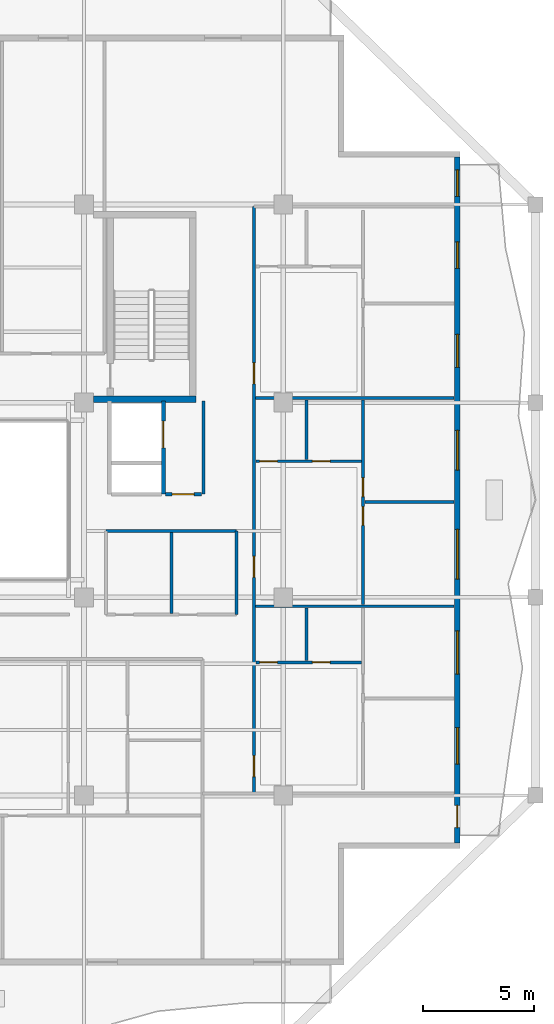
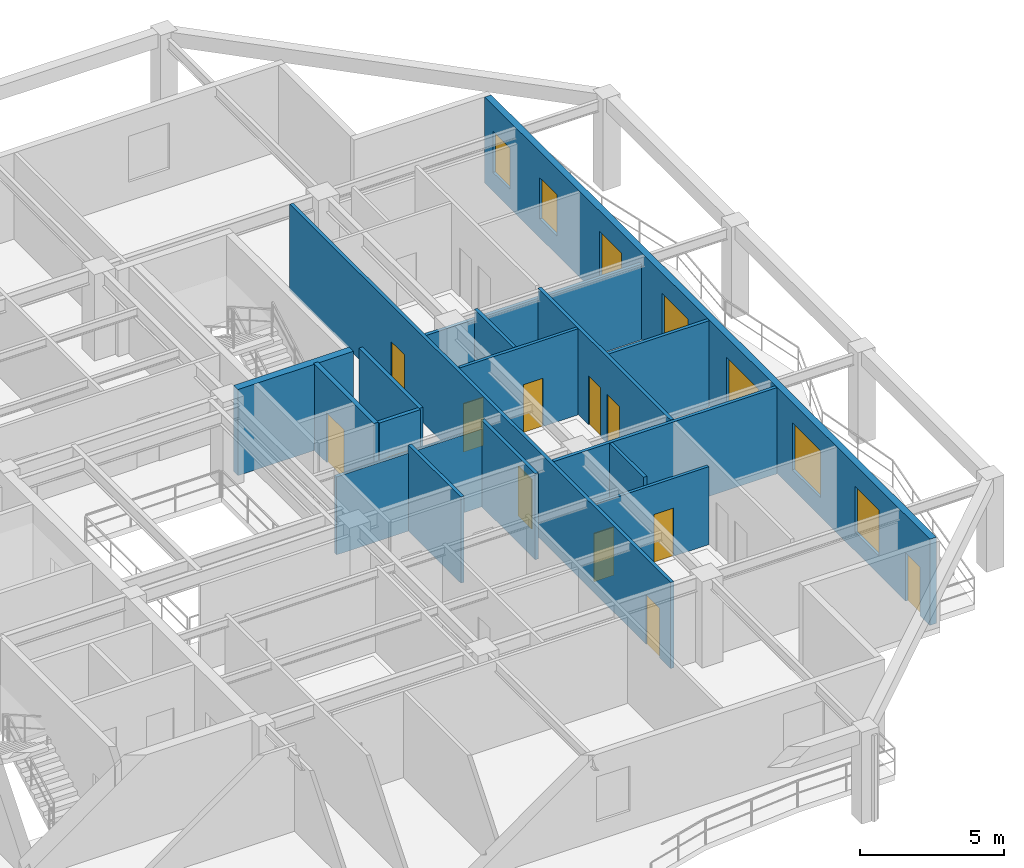
# One storey, part 5 of 12: 17 walls, 12 doors, 7 windows, 19 openings.
"""IFC4 building model written with IfcOpenShell, lengths in metres."""

from ifc_helpers import new_model, si_unit, direction, frame, frame_2d, origin, place, context, subcontext, project, spatial, rectangle, extrude, material, layer, layer_set, type_object, element, fill, save


model = new_model("IFC4")

# Units and contexts
model_context = context("Model", 3, precision=1e-05, world=origin(), true_north=direction((0.0, 1.0)))
body_context = subcontext(model_context, "Body", "Model", "MODEL_VIEW")
ifc_project = project(units=[si_unit("LENGTHUNIT", "METRE"), si_unit("AREAUNIT", "SQUARE_METRE"), si_unit("VOLUMEUNIT", "CUBIC_METRE"), si_unit("PLANEANGLEUNIT", "RADIAN"), si_unit("MASSUNIT", "GRAM", prefix="KILO")], contexts=[model_context])

# Site, building, storey
site_placement = place(None, origin())
site = spatial("IfcSite", under=ifc_project, at=site_placement, CompositionType="ELEMENT")
building_placement = place(site_placement, origin())
building = spatial("IfcBuilding", under=site, at=building_placement, Name="Kundavana Baori Tower", CompositionType="ELEMENT")
storey_placement = place(building_placement, frame((0.0, 0.0, 233.60009765625)))
storey = spatial("IfcBuildingStorey", under=building, at=storey_placement, Name="L57", CompositionType="ELEMENT", Elevation=233.60009765625)

# Wall, openings, door, windows
ifc_material_1 = material(Name="Kiln-Fired Terracotta Brick-Slip Masonry on Concrete C40/50", Category="masonry")
ifc_layer_1 = layer(ifc_material_1, 0.260009765625, Name="WL-EXT-BRK-260")
ifc_layer_set_1 = layer_set([ifc_layer_1], Name="Kiln-Fired Terracotta Brick-Slip Masonry on Concrete C40/50")
wall_type_1 = type_object("IfcWallType", Name="WL-EXT-BRK-260", PredefinedType="SOLIDWALL", material=ifc_layer_set_1)
wall_1_placement = place(storey_placement, frame((50.669921875, 13.110107421875, 0.0), z_axis=(0.0, 0.0, 1.0), x_axis=(0.0, 1.0, 0.0)))
wall_1 = element("IfcWall", 1, at=wall_1_placement, inside=storey, type_object=wall_type_1, Name="L57 Exterior Insulated Facade Wall 04", PredefinedType="SOLIDWALL", context=body_context, shape_type="SweptSolid", body=[
    extrude(rectangle(XDim=30.97998046875, YDim=0.260009765625, at=frame_2d((15.489990234375, 0.0))), origin(), (0.0, 0.0, 1.0), 3.659912109375),
])
opening_1_placement = place(wall_1_placement, frame((0.68994140625, 0.0, 0.0)))
opening_1 = element("IfcOpeningElement", 2, at=opening_1_placement, cuts=wall_1, Name="Opening BD-1", PredefinedType="OPENING", context=body_context, shape_type="SweptSolid", body=[
    extrude(rectangle(XDim=1.0, YDim=2.050048828125, at=frame_2d((0.5, 1.02490234375))), frame((0.0, 0.14013671875, 0.0), z_axis=(0.0, -1.0, 0.0), x_axis=(1.0, 0.0, 0.0)), (0.0, 0.0, 1.0), 0.280029296875),
])
opening_2_placement = place(wall_1_placement, frame((3.552978515625, 0.0, 0.800048828125)))
opening_2 = element("IfcOpeningElement", 3, at=opening_2_placement, cuts=wall_1, Name="Opening W-08", PredefinedType="OPENING", context=body_context, shape_type="SweptSolid", body=[
    extrude(rectangle(XDim=1.64990234375, YDim=1.949951171875, at=frame_2d((0.824951171875, 0.97509765625))), frame((0.0, 0.14013671875, 0.0), z_axis=(0.0, -1.0, 0.0), x_axis=(1.0, 0.0, 0.0)), (0.0, 0.0, 1.0), 0.280029296875),
])
opening_3_placement = place(wall_1_placement, frame((7.626953125, 0.0, 0.800048828125)))
opening_3 = element("IfcOpeningElement", 4, at=opening_3_placement, cuts=wall_1, Name="Opening W-09", PredefinedType="OPENING", context=body_context, shape_type="SweptSolid", body=[
    extrude(rectangle(XDim=1.949951171875, YDim=2.0, at=frame_2d((0.97509765625, 1.0))), frame((0.0, 0.14013671875, 0.0), z_axis=(0.0, -1.0, 0.0), x_axis=(1.0, 0.0, 0.0)), (0.0, 0.0, 1.0), 0.280029296875),
])
opening_4_placement = place(wall_1_placement, frame((11.9150390625, 0.0, 0.800048828125)))
opening_4 = element("IfcOpeningElement", 5, at=opening_4_placement, cuts=wall_1, Name="Opening W-10", PredefinedType="OPENING", context=body_context, shape_type="SweptSolid", body=[
    extrude(rectangle(XDim=2.25, YDim=2.0, at=frame_2d((1.125, 1.0))), frame((0.0, 0.14013671875, 0.0), z_axis=(0.0, -1.0, 0.0), x_axis=(1.0, 0.0, 0.0)), (0.0, 0.0, 1.0), 0.280029296875),
])
opening_5_placement = place(wall_1_placement, frame((16.840087890625, 0.0, 0.800048828125)))
opening_5 = element("IfcOpeningElement", 6, at=opening_5_placement, cuts=wall_1, Name="Opening W-01", PredefinedType="OPENING", context=body_context, shape_type="SweptSolid", body=[
    extrude(rectangle(XDim=1.800048828125, YDim=2.0, at=frame_2d((0.89990234375, 1.0))), frame((0.0, 0.14013671875, 0.0), z_axis=(0.0, -1.0, 0.0), x_axis=(1.0, 0.0, 0.0)), (0.0, 0.0, 1.0), 0.280029296875),
])
opening_6_placement = place(wall_1_placement, frame((21.47705078125, 0.0, 0.800048828125)))
opening_6 = element("IfcOpeningElement", 7, at=opening_6_placement, cuts=wall_1, Name="Opening W-02", PredefinedType="OPENING", context=body_context, shape_type="SweptSolid", body=[
    extrude(rectangle(XDim=1.5, YDim=2.0, at=frame_2d((0.75, 1.0))), frame((0.0, 0.14013671875, 0.0), z_axis=(0.0, -1.0, 0.0), x_axis=(1.0, 0.0, 0.0)), (0.0, 0.0, 1.0), 0.280029296875),
])
opening_7_placement = place(wall_1_placement, frame((25.951904296875, 0.0, 0.800048828125)))
opening_7 = element("IfcOpeningElement", 8, at=opening_7_placement, cuts=wall_1, Name="Opening W-03", PredefinedType="OPENING", context=body_context, shape_type="SweptSolid", body=[
    extrude(rectangle(XDim=1.199951171875, YDim=1.75, at=frame_2d((0.60009765625, 0.875))), frame((0.0, 0.14013671875, 0.0), z_axis=(0.0, -1.0, 0.0), x_axis=(1.0, 0.0, 0.0)), (0.0, 0.0, 1.0), 0.280029296875),
])
opening_8_placement = place(wall_1_placement, frame((29.205078125, 0.0, 0.800048828125)))
opening_8 = element("IfcOpeningElement", 9, at=opening_8_placement, cuts=wall_1, Name="Opening W-03", PredefinedType="OPENING", context=body_context, shape_type="SweptSolid", body=[
    extrude(rectangle(XDim=1.199951171875, YDim=1.75, at=frame_2d((0.60009765625, 0.875))), frame((0.0, 0.14013671875, 0.0), z_axis=(0.0, -1.0, 0.0), x_axis=(1.0, 0.0, 0.0)), (0.0, 0.0, 1.0), 0.280029296875),
])
ifc_material_2 = material(Name="Architectural Patinated Bronze Metalwork")
door_type_1 = type_object("IfcDoorType", Name="DR-EXT-LOG-1000", OperationType="NOTDEFINED", PredefinedType="DOOR", material=ifc_material_2)
door_1_placement = place(opening_1_placement, frame((1.0, 0.0, 0.0), z_axis=(0.0, 0.0, 1.0), x_axis=(-1.0, 0.0, 0.0)))
door_1 = element("IfcDoor", 10, at=door_1_placement, inside=storey, type_object=door_type_1, Name="L57 Loggia Balcony Access Door E", OperationType="SINGLE_SWING_RIGHT", OverallHeight=2.050048828125, OverallWidth=1.0, PredefinedType="DOOR", context=body_context, shape_type="SweptSolid", body=[
    extrude(rectangle(XDim=1.0, YDim=2.050048828125, at=frame_2d((0.5, 1.02490234375))), frame((0.0, 0.02490234375, 0.0), z_axis=(0.0, -1.0, 0.0), x_axis=(1.0, 0.0, 0.0)), (0.0, 0.0, 1.0), 0.050048828125),
])
fill(opening_1, door_1)
ifc_material_3 = material(Name="Double-Glazed Solar-Control Low-E Insulated Glass", Category="glass")
window_type_1 = type_object("IfcWindowType", Name="WIN-LOG-1200x1750", PartitioningType="SINGLE_PANEL", PredefinedType="WINDOW", material=ifc_material_3)
window_1_placement = place(opening_7_placement, origin())
window_1 = element("IfcWindow", 11, at=window_1_placement, inside=storey, type_object=window_type_1, Name="L57 Recessed Loggia Window E-7", OverallHeight=1.75, OverallWidth=1.199951171875, PartitioningType="SINGLE_PANEL", PredefinedType="WINDOW", context=body_context, shape_type="SweptSolid", body=[
    extrude(rectangle(XDim=1.199951171875, YDim=1.75, at=frame_2d((0.60009765625, 0.875))), frame((0.0, 0.030029296875, 0.0), z_axis=(0.0, -1.0, 0.0), x_axis=(1.0, 0.0, 0.0)), (0.0, 0.0, 1.0), 0.06005859375),
])
fill(opening_7, window_1)
window_2_placement = place(opening_8_placement, origin())
window_2 = element("IfcWindow", 12, at=window_2_placement, inside=storey, type_object=window_type_1, Name="L57 Recessed Loggia Window E-8", OverallHeight=1.75, OverallWidth=1.199951171875, PartitioningType="SINGLE_PANEL", PredefinedType="WINDOW", context=body_context, shape_type="SweptSolid", body=[
    extrude(rectangle(XDim=1.199951171875, YDim=1.75, at=frame_2d((0.60009765625, 0.875))), frame((0.0, 0.030029296875, 0.0), z_axis=(0.0, -1.0, 0.0), x_axis=(1.0, 0.0, 0.0)), (0.0, 0.0, 1.0), 0.06005859375),
])
fill(opening_8, window_2)
ifc_material_4 = material(Name="Double-Glazed Solar-Control Low-E Insulated Glass", Category="glass")
window_type_2 = type_object("IfcWindowType", Name="WIN-LOG-1500x2000", PartitioningType="SINGLE_PANEL", PredefinedType="WINDOW", material=ifc_material_4)
window_3_placement = place(opening_6_placement, origin())
window_3 = element("IfcWindow", 13, at=window_3_placement, inside=storey, type_object=window_type_2, Name="L57 Recessed Loggia Window E-6", OverallHeight=2.0, OverallWidth=1.5, PartitioningType="SINGLE_PANEL", PredefinedType="WINDOW", context=body_context, shape_type="SweptSolid", body=[
    extrude(rectangle(XDim=1.5, YDim=2.0, at=frame_2d((0.75, 1.0))), frame((0.0, 0.030029296875, 0.0), z_axis=(0.0, -1.0, 0.0), x_axis=(1.0, 0.0, 0.0)), (0.0, 0.0, 1.0), 0.06005859375),
])
fill(opening_6, window_3)
ifc_material_5 = material(Name="Double-Glazed Solar-Control Low-E Insulated Glass", Category="glass")
window_type_3 = type_object("IfcWindowType", Name="WIN-LOG-1650x1950", PartitioningType="SINGLE_PANEL", PredefinedType="WINDOW", material=ifc_material_5)
window_4_placement = place(opening_2_placement, origin())
window_4 = element("IfcWindow", 14, at=window_4_placement, inside=storey, type_object=window_type_3, Name="L57 Recessed Loggia Window E-2", OverallHeight=1.949951171875, OverallWidth=1.64990234375, PartitioningType="SINGLE_PANEL", PredefinedType="WINDOW", context=body_context, shape_type="SweptSolid", body=[
    extrude(rectangle(XDim=1.64990234375, YDim=1.949951171875, at=frame_2d((0.824951171875, 0.97509765625))), frame((0.0, 0.030029296875, 0.0), z_axis=(0.0, -1.0, 0.0), x_axis=(1.0, 0.0, 0.0)), (0.0, 0.0, 1.0), 0.06005859375),
])
fill(opening_2, window_4)
ifc_material_6 = material(Name="Double-Glazed Solar-Control Low-E Insulated Glass", Category="glass")
window_type_4 = type_object("IfcWindowType", Name="WIN-LOG-1800x2000", PartitioningType="SINGLE_PANEL", PredefinedType="WINDOW", material=ifc_material_6)
window_5_placement = place(opening_5_placement, origin())
window_5 = element("IfcWindow", 15, at=window_5_placement, inside=storey, type_object=window_type_4, Name="L57 Recessed Loggia Window E-5", OverallHeight=2.0, OverallWidth=1.800048828125, PartitioningType="SINGLE_PANEL", PredefinedType="WINDOW", context=body_context, shape_type="SweptSolid", body=[
    extrude(rectangle(XDim=1.800048828125, YDim=2.0, at=frame_2d((0.89990234375, 1.0))), frame((0.0, 0.030029296875, 0.0), z_axis=(0.0, -1.0, 0.0), x_axis=(1.0, 0.0, 0.0)), (0.0, 0.0, 1.0), 0.06005859375),
])
fill(opening_5, window_5)
ifc_material_7 = material(Name="Double-Glazed Solar-Control Low-E Insulated Glass", Category="glass")
window_type_5 = type_object("IfcWindowType", Name="WIN-LOG-1950x2000", PartitioningType="SINGLE_PANEL", PredefinedType="WINDOW", material=ifc_material_7)
window_6_placement = place(opening_3_placement, origin())
window_6 = element("IfcWindow", 16, at=window_6_placement, inside=storey, type_object=window_type_5, Name="L57 Recessed Loggia Window E-3", OverallHeight=2.0, OverallWidth=1.949951171875, PartitioningType="SINGLE_PANEL", PredefinedType="WINDOW", context=body_context, shape_type="SweptSolid", body=[
    extrude(rectangle(XDim=1.949951171875, YDim=2.0, at=frame_2d((0.97509765625, 1.0))), frame((0.0, 0.030029296875, 0.0), z_axis=(0.0, -1.0, 0.0), x_axis=(1.0, 0.0, 0.0)), (0.0, 0.0, 1.0), 0.06005859375),
])
fill(opening_3, window_6)
ifc_material_8 = material(Name="Double-Glazed Solar-Control Low-E Insulated Glass", Category="glass")
window_type_6 = type_object("IfcWindowType", Name="WIN-LOG-2250x2000", PartitioningType="SINGLE_PANEL", PredefinedType="WINDOW", material=ifc_material_8)
window_7_placement = place(opening_4_placement, origin())
window_7 = element("IfcWindow", 17, at=window_7_placement, inside=storey, type_object=window_type_6, Name="L57 Recessed Loggia Window E-4", OverallHeight=2.0, OverallWidth=2.25, PartitioningType="SINGLE_PANEL", PredefinedType="WINDOW", context=body_context, shape_type="SweptSolid", body=[
    extrude(rectangle(XDim=2.25, YDim=2.0, at=frame_2d((1.125, 1.0))), frame((0.0, 0.030029296875, 0.0), z_axis=(0.0, -1.0, 0.0), x_axis=(1.0, 0.0, 0.0)), (0.0, 0.0, 1.0), 0.06005859375),
])
fill(opening_4, window_7)

# Wall, openings, doors
ifc_material_9 = material(Name="Acoustic Gypsum Plasterboard on Galvanised Steel Studs", Category="steel")
ifc_layer_2 = layer(ifc_material_9, 0.135009765625, Name="WL-PART-135")
ifc_layer_set_2 = layer_set([ifc_layer_2], Name="Acoustic Gypsum Plasterboard on Galvanised Steel Studs")
wall_type_2 = type_object("IfcWallType", Name="WL-PART-135", PredefinedType="PARTITIONING", material=ifc_layer_set_2)
wall_2_placement = place(storey_placement, frame((41.47998046875, 15.35009765625, 0.0), z_axis=(0.0, 0.0, 1.0), x_axis=(0.0, 1.0, 0.0)))
wall_2 = element("IfcWall", 18, at=wall_2_placement, inside=storey, type_object=wall_type_2, Name="WL-L57-RE", PredefinedType="PARTITIONING", context=body_context, shape_type="SweptSolid", body=[
    extrude(rectangle(XDim=26.5, YDim=0.135009765625, at=frame_2d((13.25, 0.0))), origin(), (0.0, 0.0, 1.0), 3.659912109375),
])
opening_9_placement = place(wall_2_placement, frame((0.75, 0.0, 0.0)))
opening_9 = element("IfcOpeningElement", 19, at=opening_9_placement, cuts=wall_2, Name="Opening FD-095", PredefinedType="OPENING", context=body_context, shape_type="SweptSolid", body=[
    extrude(rectangle(XDim=0.949951171875, YDim=2.10009765625, at=frame_2d((0.47509765625, 1.050048828125))), frame((0.0, 0.07763671875, 0.0), z_axis=(0.0, -1.0, 0.0), x_axis=(1.0, 0.0, 0.0)), (0.0, 0.0, 1.0), 0.155029296875),
])
opening_10_placement = place(wall_2_placement, frame((9.75, 0.0, 0.0)))
opening_10 = element("IfcOpeningElement", 20, at=opening_10_placement, cuts=wall_2, Name="Opening FD-095", PredefinedType="OPENING", context=body_context, shape_type="SweptSolid", body=[
    extrude(rectangle(XDim=0.949951171875, YDim=2.10009765625, at=frame_2d((0.47509765625, 1.050048828125))), frame((0.0, 0.07763671875, 0.0), z_axis=(0.0, -1.0, 0.0), x_axis=(1.0, 0.0, 0.0)), (0.0, 0.0, 1.0), 0.155029296875),
])
opening_11_placement = place(wall_2_placement, frame((18.5, 0.0, 0.0)))
opening_11 = element("IfcOpeningElement", 21, at=opening_11_placement, cuts=wall_2, Name="Opening FD-095", PredefinedType="OPENING", context=body_context, shape_type="SweptSolid", body=[
    extrude(rectangle(XDim=0.949951171875, YDim=2.10009765625, at=frame_2d((0.47509765625, 1.050048828125))), frame((0.0, 0.07763671875, 0.0), z_axis=(0.0, -1.0, 0.0), x_axis=(1.0, 0.0, 0.0)), (0.0, 0.0, 1.0), 0.155029296875),
])
ifc_material_10 = material(Name="Engineered Teak Fire-Rated Timber Door Leaf", Category="wood")
door_type_2 = type_object("IfcDoorType", Name="DR-FD60-950", OperationType="NOTDEFINED", PredefinedType="DOOR", material=ifc_material_10)
door_2_placement = place(opening_9_placement, origin())
door_2 = element("IfcDoor", 22, at=door_2_placement, inside=storey, type_object=door_type_2, Name="DR-L57-E1-ENT", OperationType="SINGLE_SWING_LEFT", OverallHeight=2.10009765625, OverallWidth=0.949951171875, PredefinedType="DOOR", context=body_context, shape_type="SweptSolid", body=[
    extrude(rectangle(XDim=0.949951171875, YDim=2.10009765625, at=frame_2d((0.47509765625, 1.050048828125))), frame((0.0, 0.02490234375, 0.0), z_axis=(0.0, -1.0, 0.0), x_axis=(1.0, 0.0, 0.0)), (0.0, 0.0, 1.0), 0.050048828125),
])
fill(opening_9, door_2)
door_3_placement = place(opening_10_placement, origin())
door_3 = element("IfcDoor", 23, at=door_3_placement, inside=storey, type_object=door_type_2, Name="DR-L57-E2-ENT", OperationType="SINGLE_SWING_LEFT", OverallHeight=2.10009765625, OverallWidth=0.949951171875, PredefinedType="DOOR", context=body_context, shape_type="SweptSolid", body=[
    extrude(rectangle(XDim=0.949951171875, YDim=2.10009765625, at=frame_2d((0.47509765625, 1.050048828125))), frame((0.0, 0.02490234375, 0.0), z_axis=(0.0, -1.0, 0.0), x_axis=(1.0, 0.0, 0.0)), (0.0, 0.0, 1.0), 0.050048828125),
])
fill(opening_10, door_3)
door_4_placement = place(opening_11_placement, origin())
door_4 = element("IfcDoor", 24, at=door_4_placement, inside=storey, type_object=door_type_2, Name="DR-L57-E3-ENT", OperationType="SINGLE_SWING_LEFT", OverallHeight=2.10009765625, OverallWidth=0.949951171875, PredefinedType="DOOR", context=body_context, shape_type="SweptSolid", body=[
    extrude(rectangle(XDim=0.949951171875, YDim=2.10009765625, at=frame_2d((0.47509765625, 1.050048828125))), frame((0.0, 0.02490234375, 0.0), z_axis=(0.0, -1.0, 0.0), x_axis=(1.0, 0.0, 0.0)), (0.0, 0.0, 1.0), 0.050048828125),
])
fill(opening_11, door_4)

# Wall
wall_3_placement = place(storey_placement, frame((41.56005859375, 23.800048828125, 0.0), z_axis=(0.0, 0.0, 1.0), x_axis=(1.0, 0.0, 0.0)))
element("IfcWall", 25, at=wall_3_placement, inside=storey, type_object=wall_type_2, Name="WL-L57-RED1", PredefinedType="PARTITIONING", context=body_context, shape_type="SweptSolid", body=[
    extrude(rectangle(XDim=8.9599609375, YDim=0.135009765625, at=frame_2d((4.47998046875, 0.0))), origin(), (0.0, 0.0, 1.0), 3.659912109375),
])

# Wall, openings, doors
wall_4_placement = place(storey_placement, frame((46.407958984375, 23.8798828125, 0.0), z_axis=(0.0, 0.0, 1.0), x_axis=(0.0, 1.0, 0.0)))
wall_4 = element("IfcWall", 26, at=wall_4_placement, inside=storey, type_object=wall_type_2, Name="WL-L57-E2-VT", PredefinedType="PARTITIONING", context=body_context, shape_type="SweptSolid", body=[
    extrude(rectangle(XDim=9.240234375, YDim=0.135009765625, at=frame_2d((4.6201171875, 0.0))), origin(), (0.0, 0.0, 1.0), 3.659912109375),
])
opening_12_placement = place(wall_4_placement, frame((3.570068359375, 0.0, 0.0)))
opening_12 = element("IfcOpeningElement", 27, at=opening_12_placement, cuts=wall_4, Name="Opening ID-085", PredefinedType="OPENING", context=body_context, shape_type="SweptSolid", body=[
    extrude(rectangle(XDim=0.85009765625, YDim=2.080078125, at=frame_2d((0.425048828125, 1.0400390625))), frame((0.0, 0.07763671875, 0.0), z_axis=(0.0, -1.0, 0.0), x_axis=(1.0, 0.0, 0.0)), (0.0, 0.0, 1.0), 0.155029296875),
])
opening_13_placement = place(wall_4_placement, frame((4.8701171875, 0.0, 0.0)))
opening_13 = element("IfcOpeningElement", 28, at=opening_13_placement, cuts=wall_4, Name="Opening ID-085", PredefinedType="OPENING", context=body_context, shape_type="SweptSolid", body=[
    extrude(rectangle(XDim=0.85009765625, YDim=2.080078125, at=frame_2d((0.425048828125, 1.0400390625))), frame((0.0, 0.07763671875, 0.0), z_axis=(0.0, -1.0, 0.0), x_axis=(1.0, 0.0, 0.0)), (0.0, 0.0, 1.0), 0.155029296875),
])
ifc_material_11 = material(Name="Engineered Teak Solid-Core Timber Veneer", Category="wood")
door_type_3 = type_object("IfcDoorType", Name="DR-INT-850", OperationType="NOTDEFINED", PredefinedType="DOOR", material=ifc_material_11)
door_5_placement = place(opening_12_placement, origin())
door_5 = element("IfcDoor", 29, at=door_5_placement, inside=storey, type_object=door_type_3, Name="DR-L57-E2-B1", OperationType="SINGLE_SWING_LEFT", OverallHeight=2.080078125, OverallWidth=0.85009765625, PredefinedType="DOOR", context=body_context, shape_type="SweptSolid", body=[
    extrude(rectangle(XDim=0.85009765625, YDim=2.080078125, at=frame_2d((0.425048828125, 1.0400390625))), frame((0.0, 0.02490234375, 0.0), z_axis=(0.0, -1.0, 0.0), x_axis=(1.0, 0.0, 0.0)), (0.0, 0.0, 1.0), 0.050048828125),
])
fill(opening_12, door_5)
door_6_placement = place(opening_13_placement, origin())
door_6 = element("IfcDoor", 30, at=door_6_placement, inside=storey, type_object=door_type_3, Name="DR-L57-E2-B2", OperationType="SINGLE_SWING_RIGHT", OverallHeight=2.080078125, OverallWidth=0.85009765625, PredefinedType="DOOR", context=body_context, shape_type="SweptSolid", body=[
    extrude(rectangle(XDim=0.85009765625, YDim=2.080078125, at=frame_2d((0.425048828125, 1.0400390625))), frame((0.0, 0.02490234375, 0.0), z_axis=(0.0, -1.0, 0.0), x_axis=(1.0, 0.0, 0.0)), (0.0, 0.0, 1.0), 0.050048828125),
])
fill(opening_13, door_6)

# Walls
wall_5_placement = place(storey_placement, frame((46.488037109375, 28.5, 0.0), z_axis=(0.0, 0.0, 1.0), x_axis=(1.0, 0.0, 0.0)))
element("IfcWall", 31, at=wall_5_placement, inside=storey, type_object=wall_type_2, Name="WL-L57-E2-BDH", PredefinedType="PARTITIONING", context=body_context, shape_type="SweptSolid", body=[
    extrude(rectangle(XDim=4.031982421875, YDim=0.135009765625, at=frame_2d((2.01611328125, 0.0))), origin(), (0.0, 0.0, 1.0), 3.659912109375),
])
wall_6_placement = place(storey_placement, frame((41.56005859375, 33.199951171875, 0.0), z_axis=(0.0, 0.0, 1.0), x_axis=(1.0, 0.0, 0.0)))
element("IfcWall", 32, at=wall_6_placement, inside=storey, type_object=wall_type_2, Name="WL-L57-RED2", PredefinedType="PARTITIONING", context=body_context, shape_type="SweptSolid", body=[
    extrude(rectangle(XDim=8.9599609375, YDim=0.135009765625, at=frame_2d((4.47998046875, 0.0))), origin(), (0.0, 0.0, 1.0), 3.2099609375),
])
wall_7_placement = place(storey_placement, frame((34.800048828125, 27.199951171875, 0.0), z_axis=(0.0, 0.0, 1.0), x_axis=(1.0, 0.0, 0.0)))
element("IfcWall", 33, at=wall_7_placement, inside=storey, type_object=wall_type_2, Name="WL-L57-ALN", PredefinedType="PARTITIONING", context=body_context, shape_type="SweptSolid", body=[
    extrude(rectangle(XDim=5.89990234375, YDim=0.135009765625, at=frame_2d((2.949951171875, 0.0))), origin(), (0.0, 0.0, 1.0), 3.309814453125),
])
wall_8_placement = place(storey_placement, frame((40.699951171875, 23.419921875, 0.0), z_axis=(0.0, 0.0, 1.0), x_axis=(0.0, 1.0, 0.0)))
element("IfcWall", 34, at=wall_8_placement, inside=storey, type_object=wall_type_2, Name="WL-L57-ALE", PredefinedType="PARTITIONING", context=body_context, shape_type="SweptSolid", body=[
    extrude(rectangle(XDim=3.780029296875, YDim=0.135009765625, at=frame_2d((1.89013671875, 0.0))), origin(), (0.0, 0.0, 1.0), 3.659912109375),
])
wall_9_placement = place(storey_placement, frame((37.75, 23.47998046875, 0.0), z_axis=(0.0, 0.0, 1.0), x_axis=(0.0, 1.0, 0.0)))
element("IfcWall", 35, at=wall_9_placement, inside=storey, type_object=wall_type_2, Name="WL-L57-ALD1", PredefinedType="PARTITIONING", context=body_context, shape_type="SweptSolid", body=[
    extrude(rectangle(XDim=3.659912109375, YDim=0.135009765625, at=frame_2d((1.830078125, 0.0))), origin(), (0.0, 0.0, 1.0), 3.659912109375),
])
ifc_material_12 = material(Name="Fire-Rated Gypsum Drywall on Galvanised Steel Studs", Category="steel")
ifc_layer_3 = layer(ifc_material_12, 0.14990234375, Name="WL-PART-150")
ifc_layer_set_3 = layer_set([ifc_layer_3], Name="Fire-Rated Gypsum Drywall on Galvanised Steel Studs")
wall_type_3 = type_object("IfcWallType", Name="WL-PART-150", PredefinedType="PARTITIONING", material=ifc_layer_set_3)
wall_10_placement = place(storey_placement, frame((39.199951171875, 28.860107421875, 0.0), z_axis=(0.0, 0.0, 1.0), x_axis=(0.0, 1.0, 0.0)))
element("IfcWall", 36, at=wall_10_placement, inside=storey, type_object=wall_type_3, Name="WL-L57-SVLOB-E", PredefinedType="PARTITIONING", context=body_context, shape_type="SweptSolid", body=[
    extrude(rectangle(XDim=4.219970703125, YDim=0.14990234375, at=frame_2d((2.10986328125, 0.0))), origin(), (0.0, 0.0, 1.0), 3.659912109375),
])

# Wall, opening, door
wall_11_placement = place(storey_placement, frame((37.47998046875, 28.860107421875, 0.0), z_axis=(0.0, 0.0, 1.0), x_axis=(1.0, 0.0, 0.0)))
wall_11 = element("IfcWall", 37, at=wall_11_placement, inside=storey, type_object=wall_type_3, Name="WL-L57-SVLOB-S", PredefinedType="PARTITIONING", context=body_context, shape_type="SweptSolid", body=[
    extrude(rectangle(XDim=1.64013671875, YDim=0.14990234375, at=frame_2d((0.820068359375, 0.0))), origin(), (0.0, 0.0, 1.0), 3.659912109375),
])
opening_14_placement = place(wall_11_placement, frame((0.300048828125, 0.0, 0.0)))
opening_14 = element("IfcOpeningElement", 38, at=opening_14_placement, cuts=wall_11, Name="Opening FD-100", PredefinedType="OPENING", context=body_context, shape_type="SweptSolid", body=[
    extrude(rectangle(XDim=1.0, YDim=2.10009765625, at=frame_2d((0.5, 1.050048828125))), frame((0.0, 0.0849609375, 0.0), z_axis=(0.0, -1.0, 0.0), x_axis=(1.0, 0.0, 0.0)), (0.0, 0.0, 1.0), 0.169921875),
])
ifc_material_13 = material(Name="Engineered Teak Fire-Rated Timber Door Leaf", Category="wood")
door_type_4 = type_object("IfcDoorType", Name="DR-FD60-1000", OperationType="NOTDEFINED", PredefinedType="DOOR", material=ifc_material_13)
door_7_placement = place(opening_14_placement, origin())
door_7 = element("IfcDoor", 39, at=door_7_placement, inside=storey, type_object=door_type_4, Name="DR-L57-SVLOB-OUT", OperationType="SINGLE_SWING_LEFT", OverallHeight=2.10009765625, OverallWidth=1.0, PredefinedType="DOOR", context=body_context, shape_type="SweptSolid", body=[
    extrude(rectangle(XDim=1.0, YDim=2.10009765625, at=frame_2d((0.5, 1.050048828125))), frame((0.0, 0.02490234375, 0.0), z_axis=(0.0, -1.0, 0.0), x_axis=(1.0, 0.0, 0.0)), (0.0, 0.0, 1.0), 0.050048828125),
])
fill(opening_14, door_7)

ifc_material_14 = material(Name="Autoclaved Aerated Concrete Blockwork Masonry", Category="masonry")
ifc_layer_4 = layer(ifc_material_14, 0.179931640625, Name="WL-SHAFT-180")
ifc_layer_set_4 = layer_set([ifc_layer_4], Name="Autoclaved Aerated Concrete Blockwork Masonry")
wall_type_4 = type_object("IfcWallType", Name="WL-SHAFT-180", PredefinedType="SOLIDWALL", material=ifc_layer_set_4)
wall_12_placement = place(storey_placement, frame((37.389892578125, 28.860107421875, 0.0), z_axis=(0.0, 0.0, 1.0), x_axis=(0.0, 1.0, 0.0)))
wall_12 = element("IfcWall", 40, at=wall_12_placement, inside=storey, type_object=wall_type_4, Name="WL-L57-SVL-E", PredefinedType="SOLIDWALL", context=body_context, shape_type="SweptSolid", body=[
    extrude(rectangle(XDim=4.219970703125, YDim=0.179931640625, at=frame_2d((2.10986328125, 0.0))), origin(), (0.0, 0.0, 1.0), 3.659912109375),
])
opening_15_placement = place(wall_12_placement, frame((2.10009765625, 0.0, 0.0)))
opening_15 = element("IfcOpeningElement", 41, at=opening_15_placement, cuts=wall_12, Name="Opening LD-120", PredefinedType="OPENING", context=body_context, shape_type="SweptSolid", body=[
    extrude(rectangle(XDim=1.199951171875, YDim=2.1201171875, at=frame_2d((0.60009765625, 1.06005859375))), frame((0.0, 0.10009765625, 0.0), z_axis=(0.0, -1.0, 0.0), x_axis=(1.0, 0.0, 0.0)), (0.0, 0.0, 1.0), 0.199951171875),
])
ifc_material_15 = material(Name="Galvanised Steel Fire-Rated Door Leaf", Category="steel")
door_type_5 = type_object("IfcDoorType", Name="DR-SLIDE-LD1200", OperationType="NOTDEFINED", PredefinedType="DOOR", material=ifc_material_15)
door_8_placement = place(opening_15_placement, frame((1.199951171875, 0.0, 0.0), z_axis=(0.0, 0.0, 1.0), x_axis=(-1.0, 0.0, 0.0)))
door_8 = element("IfcDoor", 42, at=door_8_placement, inside=storey, type_object=door_type_5, Name="DR-L57-LD-SVL1", OperationType="DOUBLE_DOOR_SLIDING", OverallHeight=2.1201171875, OverallWidth=1.199951171875, PredefinedType="DOOR", context=body_context, shape_type="SweptSolid", body=[
    extrude(rectangle(XDim=1.199951171875, YDim=2.1201171875, at=frame_2d((0.60009765625, 1.06005859375))), frame((0.0, 0.02490234375, 0.0), z_axis=(0.0, -1.0, 0.0), x_axis=(1.0, 0.0, 0.0)), (0.0, 0.0, 1.0), 0.050048828125),
])
fill(opening_15, door_8)

# Wall
ifc_material_16 = material(Name="Concrete C50/60", Category="concrete")
ifc_layer_5 = layer(ifc_material_16, 0.300048828125, Name="WL-ST3-300")
ifc_layer_set_5 = layer_set([ifc_layer_5], Name="Concrete C50/60")
wall_type_5 = type_object("IfcWallType", Name="WL-ST3-300", PredefinedType="SHEAR", material=ifc_layer_set_5)
wall_13_placement = place(storey_placement, frame((34.22509765625, 33.159912109375, 0.0), z_axis=(0.0, 0.0, 1.0), x_axis=(1.0, 0.0, 0.0)))
element("IfcWall", 43, at=wall_13_placement, inside=storey, type_object=wall_type_5, Name="L57 Stair ST3 South Shear Wall", PredefinedType="SHEAR", context=body_context, shape_type="SweptSolid", body=[
    extrude(rectangle(XDim=4.64501953125, YDim=0.300048828125, at=frame_2d((2.322509765625, 0.0))), origin(), (0.0, 0.0, 1.0), 3.659912109375),
])

# Wall, openings, doors
ifc_material_17 = material(Name="Autoclaved Aerated Concrete Blockwork Masonry", Category="masonry")
ifc_layer_6 = layer(ifc_material_17, 0.125, Name="WL-WET-120")
ifc_layer_set_6 = layer_set([ifc_layer_6], Name="Autoclaved Aerated Concrete Blockwork Masonry")
wall_type_6 = type_object("IfcWallType", Name="WL-WET-120", PredefinedType="PLUMBINGWALL", material=ifc_layer_set_6)
wall_14_placement = place(storey_placement, frame((41.580078125, 21.262939453125, 0.0), z_axis=(0.0, 0.0, 1.0), x_axis=(1.0, 0.0, 0.0)))
wall_14 = element("IfcWall", 44, at=wall_14_placement, inside=storey, type_object=wall_type_6, Name="WL-L57-E1-KH", PredefinedType="PLUMBINGWALL", context=body_context, shape_type="SweptSolid", body=[
    extrude(rectangle(XDim=4.747802734375, YDim=0.125, at=frame_2d((2.3740234375, 0.0))), origin(), (0.0, 0.0, 1.0), 3.309814453125),
])
opening_16_placement = place(wall_14_placement, frame((0.159912109375, 0.0, 0.0)))
opening_16 = element("IfcOpeningElement", 45, at=opening_16_placement, cuts=wall_14, Name="Opening WD-080", PredefinedType="OPENING", context=body_context, shape_type="SweptSolid", body=[
    extrude(rectangle(XDim=0.800048828125, YDim=2.050048828125, at=frame_2d((0.39990234375, 1.02490234375))), frame((0.0, 0.072509765625, 0.0), z_axis=(0.0, -1.0, 0.0), x_axis=(1.0, 0.0, 0.0)), (0.0, 0.0, 1.0), 0.14501953125),
])
opening_17_placement = place(wall_14_placement, frame((2.5390625, 0.0, 0.0)))
opening_17 = element("IfcOpeningElement", 46, at=opening_17_placement, cuts=wall_14, Name="Opening WD-080", PredefinedType="OPENING", context=body_context, shape_type="SweptSolid", body=[
    extrude(rectangle(XDim=0.800048828125, YDim=2.050048828125, at=frame_2d((0.39990234375, 1.02490234375))), frame((0.0, 0.072509765625, 0.0), z_axis=(0.0, -1.0, 0.0), x_axis=(1.0, 0.0, 0.0)), (0.0, 0.0, 1.0), 0.14501953125),
])
ifc_material_18 = material(Name="Engineered Teak Solid-Core Timber Veneer", Category="wood")
door_type_6 = type_object("IfcDoorType", Name="DR-WET-800", OperationType="NOTDEFINED", PredefinedType="DOOR", material=ifc_material_18)
door_9_placement = place(opening_16_placement, origin())
door_9 = element("IfcDoor", 47, at=door_9_placement, inside=storey, type_object=door_type_6, Name="DR-L57-E1-BT", OperationType="SINGLE_SWING_LEFT", OverallHeight=2.050048828125, OverallWidth=0.800048828125, PredefinedType="DOOR", context=body_context, shape_type="SweptSolid", body=[
    extrude(rectangle(XDim=0.800048828125, YDim=2.050048828125, at=frame_2d((0.39990234375, 1.02490234375))), frame((0.0, 0.02490234375, 0.0), z_axis=(0.0, -1.0, 0.0), x_axis=(1.0, 0.0, 0.0)), (0.0, 0.0, 1.0), 0.050048828125),
])
fill(opening_16, door_9)
door_10_placement = place(opening_17_placement, origin())
door_10 = element("IfcDoor", 48, at=door_10_placement, inside=storey, type_object=door_type_6, Name="DR-L57-E1-KT", OperationType="SINGLE_SWING_RIGHT", OverallHeight=2.050048828125, OverallWidth=0.800048828125, PredefinedType="DOOR", context=body_context, shape_type="SweptSolid", body=[
    extrude(rectangle(XDim=0.800048828125, YDim=2.050048828125, at=frame_2d((0.39990234375, 1.02490234375))), frame((0.0, 0.02490234375, 0.0), z_axis=(0.0, -1.0, 0.0), x_axis=(1.0, 0.0, 0.0)), (0.0, 0.0, 1.0), 0.050048828125),
])
fill(opening_17, door_10)

# Wall
wall_15_placement = place(storey_placement, frame((43.85888671875, 21.343017578125, 0.0), z_axis=(0.0, 0.0, 1.0), x_axis=(0.0, 1.0, 0.0)))
element("IfcWall", 49, at=wall_15_placement, inside=storey, type_object=wall_type_6, Name="WL-L57-E1-BV", PredefinedType="PLUMBINGWALL", context=body_context, shape_type="SweptSolid", body=[
    extrude(rectangle(XDim=2.376953125, YDim=0.125, at=frame_2d((1.1884765625, 0.0))), origin(), (0.0, 0.0, 1.0), 3.659912109375),
])

# Wall, openings, doors
wall_16_placement = place(storey_placement, frame((41.580078125, 30.347900390625, 0.0), z_axis=(0.0, 0.0, 1.0), x_axis=(1.0, 0.0, 0.0)))
wall_16 = element("IfcWall", 50, at=wall_16_placement, inside=storey, type_object=wall_type_6, Name="WL-L57-E2-KH", PredefinedType="PLUMBINGWALL", context=body_context, shape_type="SweptSolid", body=[
    extrude(rectangle(XDim=4.747802734375, YDim=0.125, at=frame_2d((2.3740234375, 0.0))), origin(), (0.0, 0.0, 1.0), 3.659912109375),
])
opening_18_placement = place(wall_16_placement, frame((0.159912109375, 0.0, 0.0)))
opening_18 = element("IfcOpeningElement", 51, at=opening_18_placement, cuts=wall_16, Name="Opening WD-080", PredefinedType="OPENING", context=body_context, shape_type="SweptSolid", body=[
    extrude(rectangle(XDim=0.800048828125, YDim=2.050048828125, at=frame_2d((0.39990234375, 1.02490234375))), frame((0.0, 0.072509765625, 0.0), z_axis=(0.0, -1.0, 0.0), x_axis=(1.0, 0.0, 0.0)), (0.0, 0.0, 1.0), 0.14501953125),
])
opening_19_placement = place(wall_16_placement, frame((2.5390625, 0.0, 0.0)))
opening_19 = element("IfcOpeningElement", 52, at=opening_19_placement, cuts=wall_16, Name="Opening WD-080", PredefinedType="OPENING", context=body_context, shape_type="SweptSolid", body=[
    extrude(rectangle(XDim=0.800048828125, YDim=2.050048828125, at=frame_2d((0.39990234375, 1.02490234375))), frame((0.0, 0.072509765625, 0.0), z_axis=(0.0, -1.0, 0.0), x_axis=(1.0, 0.0, 0.0)), (0.0, 0.0, 1.0), 0.14501953125),
])
door_11_placement = place(opening_18_placement, origin())
door_11 = element("IfcDoor", 53, at=door_11_placement, inside=storey, type_object=door_type_6, Name="DR-L57-E2-BT", OperationType="SINGLE_SWING_LEFT", OverallHeight=2.050048828125, OverallWidth=0.800048828125, PredefinedType="DOOR", context=body_context, shape_type="SweptSolid", body=[
    extrude(rectangle(XDim=0.800048828125, YDim=2.050048828125, at=frame_2d((0.39990234375, 1.02490234375))), frame((0.0, 0.02490234375, 0.0), z_axis=(0.0, -1.0, 0.0), x_axis=(1.0, 0.0, 0.0)), (0.0, 0.0, 1.0), 0.050048828125),
])
fill(opening_18, door_11)
door_12_placement = place(opening_19_placement, origin())
door_12 = element("IfcDoor", 54, at=door_12_placement, inside=storey, type_object=door_type_6, Name="DR-L57-E2-KT", OperationType="SINGLE_SWING_RIGHT", OverallHeight=2.050048828125, OverallWidth=0.800048828125, PredefinedType="DOOR", context=body_context, shape_type="SweptSolid", body=[
    extrude(rectangle(XDim=0.800048828125, YDim=2.050048828125, at=frame_2d((0.39990234375, 1.02490234375))), frame((0.0, 0.02490234375, 0.0), z_axis=(0.0, -1.0, 0.0), x_axis=(1.0, 0.0, 0.0)), (0.0, 0.0, 1.0), 0.050048828125),
])
fill(opening_19, door_12)

# Wall
wall_17_placement = place(storey_placement, frame((43.85888671875, 30.427978515625, 0.0), z_axis=(0.0, 0.0, 1.0), x_axis=(0.0, 1.0, 0.0)))
element("IfcWall", 55, at=wall_17_placement, inside=storey, type_object=wall_type_6, Name="WL-L57-E2-BV", PredefinedType="PLUMBINGWALL", context=body_context, shape_type="SweptSolid", body=[
    extrude(rectangle(XDim=2.692138671875, YDim=0.125, at=frame_2d((1.34619140625, 0.0))), origin(), (0.0, 0.0, 1.0), 3.659912109375),
])

save(model, "model.ifc")
